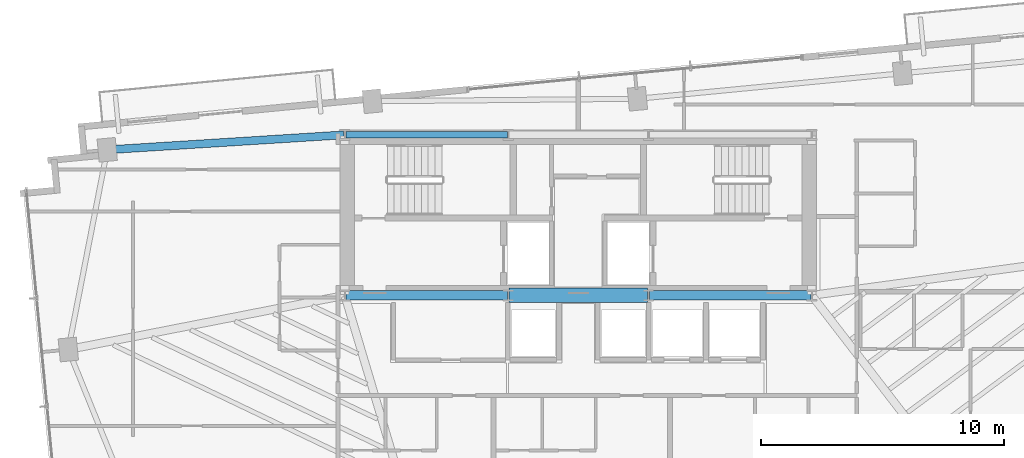
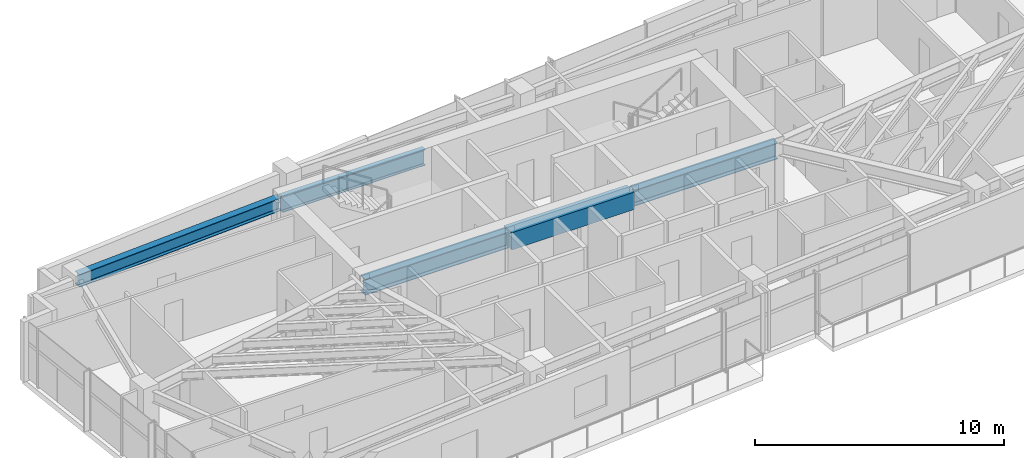
# One storey, part 5 of 18: 5 beams.
"""IFC4 building model written with IfcOpenShell, lengths in metres."""

from ifc_helpers import new_model, si_unit, direction, frame, origin, origin_2d, place, context, subcontext, project, spatial, rectangle, i_section, extrude, source, transform, mapped, material, material_profile, profile_set, type_object, type_shapes, element, save


model = new_model("IFC4")

# Units and contexts
model_context = context("Model", 3, precision=1e-05, world=origin(), true_north=direction((0.0, 1.0)))
body_context = subcontext(model_context, "Body", "Model", "MODEL_VIEW")
ifc_project = project(units=[si_unit("LENGTHUNIT", "METRE"), si_unit("AREAUNIT", "SQUARE_METRE"), si_unit("VOLUMEUNIT", "CUBIC_METRE"), si_unit("PLANEANGLEUNIT", "RADIAN"), si_unit("MASSUNIT", "GRAM", prefix="KILO")], contexts=[model_context])

# Site, building, storey
site_placement = place(None, origin())
site = spatial("IfcSite", under=ifc_project, at=site_placement, CompositionType="ELEMENT")
building_placement = place(site_placement, origin())
building = spatial("IfcBuilding", under=site, at=building_placement, Name="Astriad Promenade Condominiums", CompositionType="ELEMENT")
storey_placement = place(building_placement, frame((0.0, 0.0, 185.800048828125)))
storey = spatial("IfcBuildingStorey", under=building, at=storey_placement, Name="L53", CompositionType="ELEMENT", Elevation=185.800048828125)

# Beams
ifc_material_1 = material(Name="Steel ASTM A992 Grade 50", Category="steel")
ifc_material_profile_1 = material_profile(ifc_material_1, i_section(OverallWidth=0.3837890625, OverallDepth=0.785888671875, WebThickness=0.019775390625, FlangeThickness=0.033447265625, FilletRadius=0.021484375, at=origin_2d()), Name="W30X211")
ifc_profile_set_1 = profile_set([ifc_material_profile_1], Name="Steel ASTM A992 Grade 50")
beam_type_1 = type_object("IfcBeamType", Name="STEEL FLOOR GIRDER W30X211", PredefinedType="BEAM", material=ifc_profile_set_1)
shared_shape_1 = source(origin(), body_context, "Body", "SweptSolid", [
    extrude(i_section(OverallWidth=0.3837890625, OverallDepth=0.785888671875, WebThickness=0.019775390625, FlangeThickness=0.033447265625, FilletRadius=0.021484375, at=origin_2d()), origin(), (0.0, 0.0, 1.0), 6.64013671875),
])
type_shapes(beam_type_1, [shared_shape_1])
for number, where, z_axis, x_axis, name in (
    (1, (26.43994140625, 17.39990234375, 2.546875), (1.0, 0.0, 0.0), (0.0, 1.0, 0.0), "Core Ring Beam CG-S1-L53"),
    (2, (38.919921875, 17.39990234375, 2.546875), (1.0, 0.0, 0.0), (0.0, 1.0, 0.0), "Core Ring Beam CG-S3-L53"),
):
    element("IfcBeam", number, at=place(storey_placement, frame(where, z_axis=z_axis, x_axis=x_axis)), inside=storey, type_object=beam_type_1, Name=name, PredefinedType="BEAM", context=body_context, shape_type="MappedRepresentation", body=[
        mapped(shared_shape_1, transform((0.0, 0.0, 0.0), scale=1.0)),
    ])
ifc_material_profile_2 = material_profile(ifc_material_1, i_section(OverallWidth=0.267822265625, OverallDepth=0.76953125, WebThickness=0.015625, FlangeThickness=0.025390625, FilletRadius=0.021484375, at=origin_2d()), Name="W30X132")
ifc_profile_set_2 = profile_set([ifc_material_profile_2], Name="Steel ASTM A992 Grade 50")
beam_type_2 = type_object("IfcBeamType", Name="STEEL FLOOR GIRDER W30X132", PredefinedType="BEAM", material=ifc_profile_set_2)
shared_shape_2 = source(origin(), body_context, "Body", "SweptSolid", [
    extrude(i_section(OverallWidth=0.267822265625, OverallDepth=0.76953125, WebThickness=0.015625, FlangeThickness=0.025390625, FilletRadius=0.021484375, at=origin_2d()), origin(), (0.0, 0.0, 1.0), 6.64013671875),
])
type_shapes(beam_type_2, [shared_shape_2])
beam_1_placement = place(storey_placement, frame((26.43994140625, 24.0, 2.55517578125), z_axis=(1.0, 0.0, 0.0), x_axis=(0.0, 1.0, 0.0)))
element("IfcBeam", 3, at=beam_1_placement, inside=storey, type_object=beam_type_2, Name="Core Ring Beam CG-N1-L53", PredefinedType="BEAM", context=body_context, shape_type="MappedRepresentation", body=[
    mapped(shared_shape_2, transform((0.0, 0.0, 0.0), scale=1.0)),
])
ifc_material_2 = material(Name="Concrete C60/75", Category="concrete")
ifc_material_profile_3 = material_profile(ifc_material_2, rectangle(XDim=0.60009765625, YDim=0.85009765625, at=origin_2d()), Name="RC-BM-600X850")
ifc_profile_set_3 = profile_set([ifc_material_profile_3], Name="Concrete C60/75")
beam_type_3 = type_object("IfcBeamType", Name="CONCRETE CORE COUPLING LINTEL 600X850", PredefinedType="LINTEL", material=ifc_profile_set_3)
shared_shape_3 = source(origin(), body_context, "Body", "SweptSolid", [
    extrude(rectangle(XDim=0.60009765625, YDim=0.85009765625, at=origin_2d()), origin(), (0.0, 0.0, 1.0), 5.68017578125),
])
type_shapes(beam_type_3, [shared_shape_3])
beam_2_placement = place(storey_placement, frame((33.159912109375, 17.39990234375, 2.514892578125), z_axis=(1.0, 0.0, 0.0), x_axis=(0.0, 1.0, 0.0)))
element("IfcBeam", 4, at=beam_2_placement, inside=storey, type_object=beam_type_3, Name="Core Ring Beam CG-S2-L53", PredefinedType="LINTEL", context=body_context, shape_type="MappedRepresentation", body=[
    mapped(shared_shape_3, transform((0.0, 0.0, 0.0), scale=1.0)),
])
ifc_material_profile_4 = material_profile(ifc_material_1, i_section(OverallWidth=0.326416015625, OverallDepth=0.621826171875, WebThickness=0.015380859375, FlangeThickness=0.0244140625, FilletRadius=0.017822265625, at=origin_2d()), Name="W24X131")
ifc_profile_set_4 = profile_set([ifc_material_profile_4], Name="Steel ASTM A992 Grade 50")
beam_type_4 = type_object("IfcBeamType", Name="STEEL FLOOR GIRDER W24X131", PredefinedType="BEAM", material=ifc_profile_set_4)
shared_shape_4 = source(origin(), body_context, "Body", "SweptSolid", [
    extrude(i_section(OverallWidth=0.326416015625, OverallDepth=0.621826171875, WebThickness=0.015380859375, FlangeThickness=0.0244140625, FilletRadius=0.017822265625, at=origin_2d()), origin(), (0.0, 0.0, 1.0), 9.707275390625),
])
type_shapes(beam_type_4, [shared_shape_4])
beam_3_placement = place(storey_placement, frame((16.672119140625, 23.38671875, 2.629150390625), z_axis=(0.998018176507, 0.062926301034, 0.0), x_axis=(-0.062926301034, 0.998018176507, 0.0)))
element("IfcBeam", 5, at=beam_3_placement, inside=storey, type_object=beam_type_4, Name="Primary Floor Girder PG-NW-L53", PredefinedType="BEAM", context=body_context, shape_type="MappedRepresentation", body=[
    mapped(shared_shape_4, transform((0.0, 0.0, 0.0), scale=1.0)),
])

save(model, "model.ifc")
